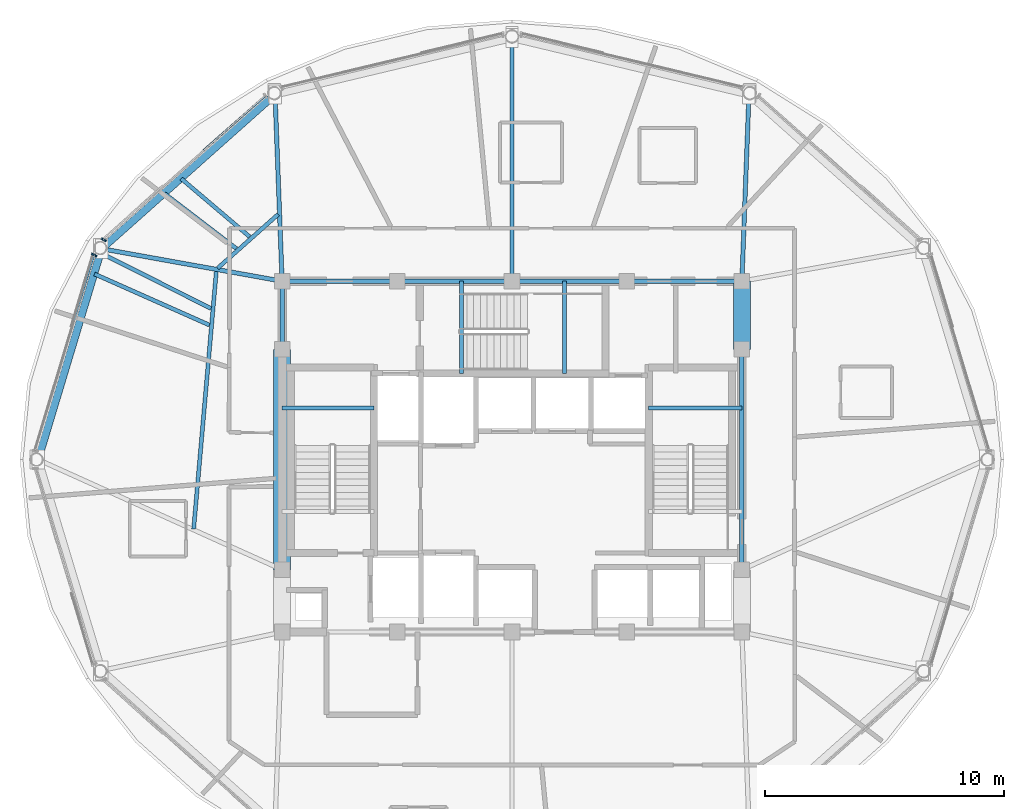
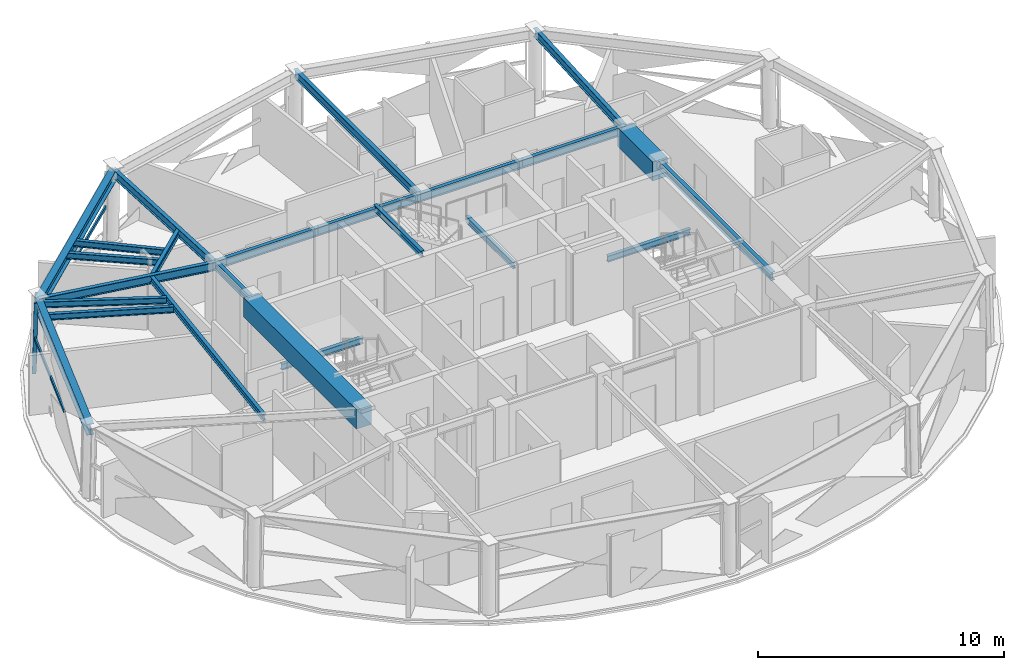
# One storey, part 4 of 15: 24 beams, 4 members, 2 elements without a shape of their own.
"""IFC4 building model written with IfcOpenShell, lengths in metres."""

import ifcopenshell
import ifcopenshell.guid

model = None  # the IFC model being written
_history = None  # IfcOwnerHistory: only IFC2X3 demands one
_inside = {}  # id of a spatial element -> (the spatial element, [elements in it])
_under = {}  # id of a project, library or spatial element -> (it, [spatial elements below it])
_declared = {}  # id of a project -> (the project, [libraries it declares])
_typed = {}  # id of a type object -> (the type object, [elements of that type])
_made_of = {}  # id of a material, layer set ... -> (it, [elements and type objects made of it])


def new_model(schema):
    """Start an empty IFC model of exactly this schema.

    Asked for "IFC4X3", IfcOpenShell would pick the latest addendum, in which some entities
    have other attributes; the version numbers below select the first issue.
    IFC2X3 requires an IfcOwnerHistory on every rooted entity: one is made here for all.
    """
    global model, _history
    if schema == "IFC4X3":
        model = ifcopenshell.file(schema_version=(4, 3, 0, 0))
    else:
        model = ifcopenshell.file(schema=schema)
    _inside.clear()
    _under.clear()
    _declared.clear()
    _typed.clear()
    _made_of.clear()
    _history = None
    if model.schema == "IFC2X3":
        org = make("IfcOrganization", Name="unknown")
        user = make(
            "IfcPersonAndOrganization",
            ThePerson=make("IfcPerson", FamilyName="unknown"),
            TheOrganization=org,
        )
        app = make(
            "IfcApplication",
            ApplicationDeveloper=org,
            Version="unknown",
            ApplicationFullName="unknown",
            ApplicationIdentifier="unknown",
        )
        _history = make(
            "IfcOwnerHistory",
            OwningUser=user,
            OwningApplication=app,
            ChangeAction="ADDED",
            CreationDate=0,
        )
    return model


def make(cls, **values):
    """One entity of the class cls with the attributes given. An attribute that is None is left unset."""
    return model.create_entity(
        cls, **{name: value for name, value in values.items() if value is not None}
    )


def rooted(cls, **values):
    """An entity with a GlobalId (a new one), such as an element, a storey or a relation."""
    return make(cls, GlobalId=ifcopenshell.guid.new(), OwnerHistory=_history, **values)


def si_unit(unit_type, name, prefix=None):
    """IfcSIUnit, for example si_unit("LENGTHUNIT", "METRE", prefix="MILLI")."""
    return make("IfcSIUnit", UnitType=unit_type, Prefix=prefix, Name=name)


def assignment(units):
    """IfcUnitAssignment: the units of a project."""
    return None if units is None else make("IfcUnitAssignment", Units=units)


def point(xyz):
    """IfcCartesianPoint."""
    return None if xyz is None else make("IfcCartesianPoint", Coordinates=xyz)


def direction(xyz):
    """IfcDirection."""
    return None if xyz is None else make("IfcDirection", DirectionRatios=xyz)


def frame(location, z_axis=None, x_axis=None):
    """IfcAxis2Placement3D, a coordinate frame: its origin and axes. An axis left out is left unset."""
    return make(
        "IfcAxis2Placement3D",
        Location=point(location),
        Axis=direction(z_axis),
        RefDirection=direction(x_axis),
    )


def frame_2d(location, x_axis=None):
    """IfcAxis2Placement2D, a coordinate frame in the plane: its origin and x axis."""
    return make(
        "IfcAxis2Placement2D", Location=point(location), RefDirection=direction(x_axis)
    )


def origin():
    """The frame at (0, 0, 0) with its axes left unset."""
    return frame((0.0, 0.0, 0.0))


def origin_2d():
    """The frame at (0, 0) in the plane with its x axis left unset."""
    return frame_2d((0.0, 0.0))


def place(relative_to, where):
    """IfcLocalPlacement: puts the frame where relative to a parent placement (None: the world)."""
    return make(
        "IfcLocalPlacement", PlacementRelTo=relative_to, RelativePlacement=where
    )


def context(
    kind, dimensions, precision=None, world=None, true_north=None, identifier=None
):
    """IfcGeometricRepresentationContext, for example the 3D "Model" context."""
    return make(
        "IfcGeometricRepresentationContext",
        ContextIdentifier=identifier,
        ContextType=kind,
        CoordinateSpaceDimension=dimensions,
        Precision=precision,
        WorldCoordinateSystem=world,
        TrueNorth=true_north,
    )


def subcontext(parent, identifier, kind, view, scale=None):
    """IfcGeometricRepresentationSubContext, for example "Body" below "Model"."""
    return make(
        "IfcGeometricRepresentationSubContext",
        ContextIdentifier=identifier,
        ContextType=kind,
        ParentContext=parent,
        TargetScale=scale,
        TargetView=view,
    )


def project(units=None, contexts=None):
    """IfcProject with its units and contexts."""
    return rooted(
        "IfcProject",
        Name="project",
        RepresentationContexts=contexts,
        UnitsInContext=assignment(units),
    )


def spatial(cls, under=None, at=None, **own):
    """A site, building, storey or space (cls), placed at a placement, below another one or the project."""
    s = rooted(cls, ObjectPlacement=at, **own)
    if under is not None:
        _under.setdefault(under.id(), (under, []))[1].append(s)
    return s


def profile(cls, at=None, kind="AREA", **sizes):
    """A parametric profile (cls). Its sizes go by their IFC names, for example OverallWidth=200.0."""
    return make(cls, ProfileType=kind, Position=at, **sizes)


def rectangle(**sizes):
    """IfcRectangleProfileDef."""
    return profile("IfcRectangleProfileDef", **sizes)


def hollow_rectangle(**sizes):
    """IfcRectangleHollowProfileDef."""
    return profile("IfcRectangleHollowProfileDef", **sizes)


def i_section(**sizes):
    """IfcIShapeProfileDef."""
    return profile("IfcIShapeProfileDef", **sizes)


def extrude(swept, where, along, depth):
    """IfcExtrudedAreaSolid: the profile swept, set in the frame where, extruded along a direction by depth."""
    return make(
        "IfcExtrudedAreaSolid",
        SweptArea=swept,
        Position=where,
        ExtrudedDirection=direction(along),
        Depth=depth,
    )


def shape(context_of_items, identifier, shape_type, items):
    """IfcShapeRepresentation: the items that make up one representation, for example the "Body"."""
    return make(
        "IfcShapeRepresentation",
        ContextOfItems=context_of_items,
        RepresentationIdentifier=identifier,
        RepresentationType=shape_type,
        Items=items,
    )


def material(Name=None, Category=None):
    """IfcMaterial."""
    return make("IfcMaterial", Name=Name, Category=Category)


def layer(
    of_material, thickness, ventilated=None, Name=None, Category=None, Priority=None
):
    """IfcMaterialLayer: one layer of a wall or slab, of a material (None: an air gap)."""
    return make(
        "IfcMaterialLayer",
        Material=of_material,
        LayerThickness=thickness,
        IsVentilated=ventilated,
        Name=Name,
        Category=Category,
        Priority=Priority,
    )


def layer_set(layers, Name=None):
    """IfcMaterialLayerSet."""
    return make("IfcMaterialLayerSet", MaterialLayers=layers, LayerSetName=Name)


def material_profile(
    of_material, cross_section, Name=None, Category=None, Priority=None
):
    """IfcMaterialProfile: a cross section and its material."""
    return make(
        "IfcMaterialProfile",
        Name=Name,
        Material=of_material,
        Profile=cross_section,
        Priority=Priority,
        Category=Category,
    )


def profile_set(profiles, Name=None, composite=None):
    """IfcMaterialProfileSet."""
    return make(
        "IfcMaterialProfileSet",
        Name=Name,
        MaterialProfiles=profiles,
        CompositeProfile=composite,
    )


def made_of(thing, what):
    """Note that an element or type object is made of a material, layer set ...; save() writes the relation."""
    if what is not None:
        _made_of.setdefault(what.id(), (what, []))[1].append(thing)
    return thing


def type_object(cls, material=None, **own):
    """A type object (cls), such as IfcWallType, which elements share."""
    return made_of(rooted(cls, **own), material)


def element(
    cls,
    number,
    at=None,
    inside=None,
    cuts=None,
    type_object=None,
    material=None,
    context=None,
    identifier="Body",
    shape_type=None,
    held_by="IfcProductDefinitionShape",
    body=None,
    shapes=None,
    **own,
):
    """One element of the class cls, such as IfcWall. Its Tag is "e" and its number.

    at: its placement. inside: the storey or other place that contains it. cuts: it is an
    opening in that element (IfcRelVoidsElement). A single representation is given by context,
    identifier, shape_type and body (its items); several are given by shapes. held_by: the class
    of the entity that holds the representations. save() writes the other relations.
    """
    e = rooted(cls, Tag="e%d" % number, ObjectPlacement=at, **own)
    if body is not None:
        shapes = [shape(context, identifier, shape_type, body)]
    if shapes is not None:
        e.Representation = make(held_by, Representations=shapes)
    if inside is not None:
        _inside.setdefault(inside.id(), (inside, []))[1].append(e)
    if cuts is not None:
        rooted(
            "IfcRelVoidsElement", RelatingBuildingElement=cuts, RelatedOpeningElement=e
        )
    if type_object is not None:
        _typed.setdefault(type_object.id(), (type_object, []))[1].append(e)
    return made_of(e, material)


def aggregate(whole, parts):
    """IfcRelAggregates: a whole, such as a stair, and the parts it consists of."""
    return rooted("IfcRelAggregates", RelatingObject=whole, RelatedObjects=parts)


def save(model, path):
    """Write the relations noted so far, then the file.

    IfcRelAggregates (storeys below a building ...), IfcRelContainedInSpatialStructure (elements
    in a storey), IfcRelDefinesByType, IfcRelAssociatesMaterial and IfcRelDeclares: one each for
    every whole, place, type object, material and project.
    """
    for whole, parts in _under.values():
        aggregate(whole, parts)
    for where, things in _inside.values():
        rooted(
            "IfcRelContainedInSpatialStructure",
            RelatedElements=things,
            RelatingStructure=where,
        )
    for kind, things in _typed.values():
        rooted("IfcRelDefinesByType", RelatedObjects=things, RelatingType=kind)
    for what, things in _made_of.values():
        rooted("IfcRelAssociatesMaterial", RelatedObjects=things, RelatingMaterial=what)
    for by, libraries in _declared.values():
        rooted("IfcRelDeclares", RelatingContext=by, RelatedDefinitions=libraries)
    model.write(path)


model = new_model("IFC4")

# Units and contexts
model_context = context("Model", 3, precision=1e-05, world=origin(), true_north=direction((0.0, 1.0)))
body_context = subcontext(model_context, "Body", "Model", "MODEL_VIEW")
ifc_project = project(units=[si_unit("LENGTHUNIT", "METRE"), si_unit("AREAUNIT", "SQUARE_METRE"), si_unit("VOLUMEUNIT", "CUBIC_METRE"), si_unit("PLANEANGLEUNIT", "RADIAN"), si_unit("MASSUNIT", "GRAM", prefix="KILO")], contexts=[model_context])

# Site, building, storey
site_placement = place(None, origin())
site = spatial("IfcSite", under=ifc_project, at=site_placement, CompositionType="ELEMENT")
building_placement = place(site_placement, origin())
building = spatial("IfcBuilding", under=site, at=building_placement, Name="Vantalir Tower", CompositionType="ELEMENT")
storey_placement = place(building_placement, frame((0.0, 0.0, 263.85009765625)))
storey = spatial("IfcBuildingStorey", under=building, at=storey_placement, Name="L66", CompositionType="ELEMENT", Elevation=263.85009765625)

# Beams
ifc_material_1 = material(Name="Concrete C60/75", Category="concrete")
ifc_material_profile_1 = material_profile(ifc_material_1, rectangle(XDim=0.699951171875, YDim=0.949951171875, at=origin_2d()), Name="Concrete C60/75")
ifc_profile_set_1 = profile_set([ifc_material_profile_1], Name="Concrete C60/75")
beam_type_1 = type_object("IfcBeamType", Name="BM-CB-700x950", PredefinedType="USERDEFINED", material=ifc_profile_set_1)
beam_1_placement = place(storey_placement, frame((41.10009765625, 29.60009765625, 3.094970703125), z_axis=(0.0, 1.0, 0.0), x_axis=(-1.0, 0.0, 0.0)))
element("IfcBeam", 1, at=beam_1_placement, inside=storey, type_object=beam_type_1, Name="L66 Core Coupling Girder 07", ObjectType="GIRDER", PredefinedType="USERDEFINED", context=body_context, shape_type="SweptSolid", body=[
    extrude(rectangle(XDim=0.699951171875, YDim=0.949951171875, at=origin_2d()), origin(), (0.0, 0.0, 1.0), 2.849853515625),
])
beam_2_placement = place(storey_placement, frame((21.89990234375, 29.60009765625, 3.094970703125), z_axis=(0.0, -1.0, 0.0), x_axis=(1.0, 0.0, 0.0)))
element("IfcBeam", 2, at=beam_2_placement, inside=storey, type_object=beam_type_1, Name="L66 Core Coupling Girder 13", ObjectType="GIRDER", PredefinedType="USERDEFINED", context=body_context, shape_type="SweptSolid", body=[
    extrude(rectangle(XDim=0.699951171875, YDim=0.949951171875, at=origin_2d()), origin(), (0.0, 0.0, 1.0), 9.2001953125),
])
ifc_material_2 = material(Name="Steel S355", Category="steel")
ifc_material_profile_2 = material_profile(ifc_material_2, i_section(OverallWidth=0.166015625, OverallDepth=0.306884765625, WebThickness=0.006591796875, FlangeThickness=0.01171875, at=origin_2d()), Name="Steel S355")
ifc_profile_set_2 = profile_set([ifc_material_profile_2], Name="Steel S355")
beam_type_2 = type_object("IfcBeamType", Name="BM-JS-305x165", PredefinedType="JOIST", material=ifc_profile_set_2)
beam_3_placement = place(storey_placement, frame((21.89990234375, 27.14501953125, 1.52099609375), z_axis=(1.0, 0.0, 0.0), x_axis=(0.0, 1.0, 0.0)))
element("IfcBeam", 3, at=beam_3_placement, inside=storey, type_object=beam_type_2, Name="L66 Stair ST1 Half-Landing Support Beam", PredefinedType="JOIST", context=body_context, shape_type="SweptSolid", body=[
    extrude(i_section(OverallWidth=0.166015625, OverallDepth=0.306884765625, WebThickness=0.006591796875, FlangeThickness=0.01171875, at=origin_2d()), origin(), (0.0, 0.0, 1.0), 3.840087890625),
])
beam_4_placement = place(storey_placement, frame((37.2099609375, 27.14501953125, 1.52099609375), z_axis=(1.0, 0.0, 0.0), x_axis=(0.0, 1.0, 0.0)))
element("IfcBeam", 4, at=beam_4_placement, inside=storey, type_object=beam_type_2, Name="L66 Stair ST2 Half-Landing Support Beam", PredefinedType="JOIST", context=body_context, shape_type="SweptSolid", body=[
    extrude(i_section(OverallWidth=0.166015625, OverallDepth=0.306884765625, WebThickness=0.006591796875, FlangeThickness=0.01171875, at=origin_2d()), origin(), (0.0, 0.0, 1.0), 3.89013671875),
])
for number, where, z_axis, x_axis, name in (
    (5, (29.385009765625, 28.60009765625, 3.595947265625), (0.0, 1.0, 0.0), (-1.0, 0.0, 0.0), "L67 Stair ST3 Well Nosing Trimmer Beam"),
    (6, (33.695068359375, 28.60009765625, 1.52099609375), (0.0, 1.0, 0.0), (-1.0, 0.0, 0.0), "L66 Stair ST3 Half-Landing Support Beam"),
):
    element("IfcBeam", number, at=place(storey_placement, frame(where, z_axis=z_axis, x_axis=x_axis)), inside=storey, type_object=beam_type_2, Name=name, PredefinedType="JOIST", context=body_context, shape_type="SweptSolid", body=[
        extrude(i_section(OverallWidth=0.166015625, OverallDepth=0.306884765625, WebThickness=0.006591796875, FlangeThickness=0.01171875, at=origin_2d()), origin(), (0.0, 0.0, 1.0), 3.849853515625),
    ])
beam_5_placement = place(storey_placement, frame((21.735107421875, 35.240966796875, 3.3359375), z_axis=(-0.747154387061, -0.664650526138, 0.0), x_axis=(0.664650526138, -0.747154387061, 0.0)))
element("IfcBeam", 7, at=beam_5_placement, inside=storey, type_object=beam_type_2, Name="L66 Sky Garden SG4 Planter Sub-Girder 1", PredefinedType="JOIST", context=body_context, shape_type="SweptSolid", body=[
    extrude(i_section(OverallWidth=0.166015625, OverallDepth=0.306884765625, WebThickness=0.006591796875, FlangeThickness=0.01171875, at=origin_2d()), origin(), (0.0, 0.0, 1.0), 3.38232421875),
])
beam_6_placement = place(storey_placement, frame((19.158935546875, 32.927978515625, 3.3359375), z_axis=(-0.087613779733, -0.996154518938, 0.0), x_axis=(0.996154518938, -0.087613779733, 0.0)))
element("IfcBeam", 8, at=beam_6_placement, inside=storey, type_object=beam_type_2, Name="L66 Sky Garden SG4 Planter Sub-Girder 2", PredefinedType="JOIST", context=body_context, shape_type="SweptSolid", body=[
    extrude(i_section(OverallWidth=0.166015625, OverallDepth=0.306884765625, WebThickness=0.006591796875, FlangeThickness=0.01171875, at=origin_2d()), origin(), (0.0, 0.0, 1.0), 10.86474609375),
])
beam_7_placement = place(storey_placement, frame((20.54296875, 34.306884765625, 3.3359375), z_axis=(-0.762180156679, 0.647364973384, 0.0), x_axis=(-0.647364973384, -0.762180156679, 0.0)))
element("IfcBeam", 9, at=beam_7_placement, inside=storey, type_object=beam_type_2, Name="L66 Sky Garden SG4 Pier Tie Beam M1", PredefinedType="JOIST", context=body_context, shape_type="SweptSolid", body=[
    extrude(i_section(OverallWidth=0.166015625, OverallDepth=0.306884765625, WebThickness=0.006591796875, FlangeThickness=0.01171875, at=origin_2d()), origin(), (0.0, 0.0, 1.0), 3.7509765625),
])
beam_8_placement = place(storey_placement, frame((19.989990234375, 33.81298828125, 3.3359375), z_axis=(-0.793945145655, 0.607989396034, 0.0), x_axis=(-0.607989396034, -0.793945145655, 0.0)))
element("IfcBeam", 10, at=beam_8_placement, inside=storey, type_object=beam_type_2, Name="L66 Sky Garden SG4 Pier Tie Beam M2", PredefinedType="JOIST", context=body_context, shape_type="SweptSolid", body=[
    extrude(i_section(OverallWidth=0.166015625, OverallDepth=0.306884765625, WebThickness=0.006591796875, FlangeThickness=0.01171875, at=origin_2d()), origin(), (0.0, 0.0, 1.0), 3.77978515625),
])
beam_9_placement = place(storey_placement, frame((18.927978515625, 31.31298828125, 3.3359375), z_axis=(-0.893638122833, 0.448788263461, 0.0), x_axis=(-0.448788263461, -0.893638122833, 0.0)))
element("IfcBeam", 11, at=beam_9_placement, inside=storey, type_object=beam_type_2, Name="L66 Sky Garden SG4 Pier Tie Beam T1", PredefinedType="JOIST", context=body_context, shape_type="SweptSolid", body=[
    extrude(i_section(OverallWidth=0.166015625, OverallDepth=0.306884765625, WebThickness=0.006591796875, FlangeThickness=0.01171875, at=origin_2d()), origin(), (0.0, 0.0, 1.0), 5.145263671875),
])
beam_10_placement = place(storey_placement, frame((18.865966796875, 30.616943359375, 3.3359375), z_axis=(-0.913755983656, 0.406263464186, 0.0), x_axis=(-0.406263464186, -0.913755983656, 0.0)))
element("IfcBeam", 12, at=beam_10_placement, inside=storey, type_object=beam_type_2, Name="L66 Sky Garden SG4 Pier Tie Beam T2", PredefinedType="JOIST", context=body_context, shape_type="SweptSolid", body=[
    extrude(i_section(OverallWidth=0.166015625, OverallDepth=0.306884765625, WebThickness=0.006591796875, FlangeThickness=0.01171875, at=origin_2d()), origin(), (0.0, 0.0, 1.0), 5.255126953125),
])
ifc_material_profile_3 = material_profile(ifc_material_2, i_section(OverallWidth=0.179931640625, OverallDepth=0.4130859375, WebThickness=0.009521484375, FlangeThickness=0.01611328125, at=origin_2d()), Name="Steel S355")
ifc_profile_set_3 = profile_set([ifc_material_profile_3], Name="Steel S355")
beam_type_3 = type_object("IfcBeamType", Name="BM-RB-406x178", PredefinedType="BEAM", material=ifc_profile_set_3)
beam_11_placement = place(storey_placement, frame((41.10009765625, 20.39990234375, 3.364013671875), z_axis=(0.0, 1.0, 0.0), x_axis=(-1.0, 0.0, 0.0)))
element("IfcBeam", 13, at=beam_11_placement, inside=storey, type_object=beam_type_3, Name="L66 Core Coupling Girder 06", PredefinedType="BEAM", context=body_context, shape_type="SweptSolid", body=[
    extrude(i_section(OverallWidth=0.179931640625, OverallDepth=0.4130859375, WebThickness=0.009521484375, FlangeThickness=0.01611328125, at=origin_2d()), origin(), (0.0, 0.0, 1.0), 9.2001953125),
])
for number, where, z_axis, x_axis, name in (
    (14, (41.10009765625, 32.449951171875, 3.364013671875), (-1.0, 0.0, 0.0), (0.0, -1.0, 0.0), "L66 Core Coupling Girder 08"),
    (15, (36.300048828125, 32.449951171875, 3.364013671875), (-1.0, 0.0, 0.0), (0.0, -1.0, 0.0), "L66 Core Coupling Girder 09"),
    (16, (31.5, 32.449951171875, 3.364013671875), (-1.0, 0.0, 0.0), (0.0, -1.0, 0.0), "L66 Core Coupling Girder 10"),
    (17, (26.699951171875, 32.449951171875, 3.364013671875), (-1.0, 0.0, 0.0), (0.0, -1.0, 0.0), "L66 Core Coupling Girder 11"),
):
    element("IfcBeam", number, at=place(storey_placement, frame(where, z_axis=z_axis, x_axis=x_axis)), inside=storey, type_object=beam_type_3, Name=name, PredefinedType="BEAM", context=body_context, shape_type="SweptSolid", body=[
        extrude(i_section(OverallWidth=0.179931640625, OverallDepth=0.4130859375, WebThickness=0.009521484375, FlangeThickness=0.01611328125, at=origin_2d()), origin(), (0.0, 0.0, 1.0), 4.800048828125),
    ])
beam_12_placement = place(storey_placement, frame((21.89990234375, 32.449951171875, 3.364013671875), z_axis=(0.0, -1.0, 0.0), x_axis=(1.0, 0.0, 0.0)))
element("IfcBeam", 18, at=beam_12_placement, inside=storey, type_object=beam_type_3, Name="L66 Core Coupling Girder 12", PredefinedType="BEAM", context=body_context, shape_type="SweptSolid", body=[
    extrude(i_section(OverallWidth=0.179931640625, OverallDepth=0.4130859375, WebThickness=0.009521484375, FlangeThickness=0.01611328125, at=origin_2d()), origin(), (0.0, 0.0, 1.0), 2.849853515625),
])
beam_13_placement = place(storey_placement, frame((41.39501953125, 40.251953125, 3.364013671875), z_axis=(-0.037773816947, -0.999286314703, 0.0), x_axis=(0.999286314703, -0.037773816947, 0.0)))
element("IfcBeam", 19, at=beam_13_placement, inside=storey, type_object=beam_type_3, Name="L66 Radial Floor Beam 03", PredefinedType="BEAM", context=body_context, shape_type="SweptSolid", body=[
    extrude(i_section(OverallWidth=0.179931640625, OverallDepth=0.4130859375, WebThickness=0.009521484375, FlangeThickness=0.01611328125, at=origin_2d()), origin(), (0.0, 0.0, 1.0), 7.8076171875),
])
beam_14_placement = place(storey_placement, frame((31.5, 42.611083984375, 3.364013671875), z_axis=(0.0, -1.0, 0.0), x_axis=(1.0, 0.0, 0.0)))
element("IfcBeam", 20, at=beam_14_placement, inside=storey, type_object=beam_type_3, Name="L66 Radial Floor Beam 04", PredefinedType="BEAM", context=body_context, shape_type="SweptSolid", body=[
    extrude(i_section(OverallWidth=0.179931640625, OverallDepth=0.4130859375, WebThickness=0.009521484375, FlangeThickness=0.01611328125, at=origin_2d()), origin(), (0.0, 0.0, 1.0), 10.1611328125),
])
beam_15_placement = place(storey_placement, frame((21.60498046875, 40.251953125, 3.323974609375), z_axis=(0.037773816947, -0.999286314703, 0.0), x_axis=(0.999286314703, 0.037773816947, 0.0)))
element("IfcBeam", 21, at=beam_15_placement, inside=storey, type_object=beam_type_3, Name="L66 Radial Floor Beam 05", PredefinedType="BEAM", context=body_context, shape_type="SweptSolid", body=[
    extrude(i_section(OverallWidth=0.179931640625, OverallDepth=0.4130859375, WebThickness=0.009521484375, FlangeThickness=0.01611328125, at=origin_2d()), origin(), (0.0, 0.0, 1.0), 7.8076171875),
])
beam_16_placement = place(storey_placement, frame((14.361083984375, 33.804931640625, 3.323974609375), z_axis=(0.984228971585, -0.176899212808, 0.0), x_axis=(0.176899212808, 0.984228971585, 0.0)))
element("IfcBeam", 22, at=beam_16_placement, inside=storey, type_object=beam_type_3, Name="L66 Radial Floor Beam 06", PredefinedType="BEAM", context=body_context, shape_type="SweptSolid", body=[
    extrude(i_section(OverallWidth=0.179931640625, OverallDepth=0.4130859375, WebThickness=0.009521484375, FlangeThickness=0.01611328125, at=origin_2d()), origin(), (0.0, 0.0, 1.0), 7.65966796875),
])
ifc_material_3 = material(Name="Steel S460", Category="steel")
ifc_material_profile_4 = material_profile(ifc_material_3, i_section(OverallWidth=0.31201171875, OverallDepth=0.5419921875, WebThickness=0.0126953125, FlangeThickness=0.020263671875, at=origin_2d()), Name="Steel S460")
ifc_profile_set_4 = profile_set([ifc_material_profile_4], Name="Steel S460")
beam_type_4 = type_object("IfcBeamType", Name="BM-RG-533x312", PredefinedType="USERDEFINED", material=ifc_profile_set_4)
beam_17_placement = place(storey_placement, frame((21.60498046875, 40.251953125, 3.2587890625), z_axis=(-0.746999414148, -0.664824695136, 0.0), x_axis=(0.664824695136, -0.746999414148, 0.0)))
element("IfcBeam", 23, at=beam_17_placement, inside=storey, type_object=beam_type_4, Name="L66 Circumferential Ring Girder 05", ObjectType="GIRDER", PredefinedType="USERDEFINED", context=body_context, shape_type="SweptSolid", body=[
    extrude(i_section(OverallWidth=0.31201171875, OverallDepth=0.5419921875, WebThickness=0.0126953125, FlangeThickness=0.020263671875, at=origin_2d()), origin(), (0.0, 0.0, 1.0), 9.697265625),
])
beam_18_placement = place(storey_placement, frame((14.361083984375, 33.804931640625, 3.2587890625), z_axis=(-0.288309885085, -0.957537158633, 0.0), x_axis=(0.957537158633, -0.288309885085, 0.0)))
element("IfcBeam", 24, at=beam_18_placement, inside=storey, type_object=beam_type_4, Name="L66 Circumferential Ring Girder 06", ObjectType="GIRDER", PredefinedType="USERDEFINED", context=body_context, shape_type="SweptSolid", body=[
    extrude(i_section(OverallWidth=0.31201171875, OverallDepth=0.5419921875, WebThickness=0.0126953125, FlangeThickness=0.020263671875, at=origin_2d()), origin(), (0.0, 0.0, 1.0), 9.1953125),
])

# Curtain wall, member
ifc_material_4 = material(Name="Champagne-silver PVDF aluminium and double-silver Low-E glass", Category="aluminium")
ifc_layer = layer(ifc_material_4, 0.219970703125)
ifc_layer_set = layer_set([ifc_layer], Name="Champagne-silver PVDF aluminium and double-silver Low-E glass")
curtain_wall_type = type_object("IfcCurtainWallType", Name="CW-DIAMOND-Z4", PredefinedType="USERDEFINED", material=ifc_layer_set)
curtain_wall_1_placement = place(storey_placement, origin())
curtain_wall_1 = element("IfcCurtainWall", 25, at=curtain_wall_1_placement, inside=storey, type_object=curtain_wall_type, Name="L66 Quilted Pyramid-Diamond Curtain Wall S05", ObjectType="UNITISED CURTAIN WALL", PredefinedType="USERDEFINED")
ifc_material_5 = material(Name="Champagne-silver PVDF aluminium 6063-T6", Category="aluminium")
ifc_material_profile_5 = material_profile(ifc_material_5, hollow_rectangle(XDim=0.070068359375, YDim=0.1650390625, WallThickness=0.00390625, at=origin_2d()), Name="Champagne-silver PVDF aluminium 6063-T6")
ifc_profile_set_5 = profile_set([ifc_material_profile_5], Name="Champagne-silver PVDF aluminium 6063-T6")
member_type_1 = type_object("IfcMemberType", Name="CWM-165x70", PredefinedType="MULLION", material=ifc_profile_set_5)
member_1_placement = place(storey_placement, frame((14.4189453125, 34.195068359375, 0.044921875), z_axis=(0.01984909463, -0.010380445248, 0.999749098424), x_axis=(0.463421877407, 0.886137779096, 0.0)))
member_1 = element("IfcMember", 26, at=member_1_placement, type_object=member_type_1, Name="CW-L66-S05 Mullion 2", PredefinedType="MULLION", context=body_context, shape_type="SweptSolid", body=[
    extrude(hollow_rectangle(XDim=0.070068359375, YDim=0.1650390625, WallThickness=0.00390625, at=origin_2d()), origin(), (0.0, 0.0, 1.0), 3.48095703125),
])

curtain_wall_2_placement = place(storey_placement, origin())
curtain_wall_2 = element("IfcCurtainWall", 27, at=curtain_wall_2_placement, inside=storey, type_object=curtain_wall_type, Name="L66 Quilted Pyramid-Diamond Curtain Wall S06", ObjectType="UNITISED CURTAIN WALL", PredefinedType="USERDEFINED")
member_2_placement = place(storey_placement, frame((14.01611328125, 33.56298828125, 0.044921875), z_axis=(0.019778998325, -0.010310328914, 0.999751213224), x_axis=(0.462243581644, 0.886752993358, 0.0)))
member_2 = element("IfcMember", 28, at=member_2_placement, type_object=member_type_1, Name="CW-L66-S06 Mullion 1", PredefinedType="MULLION", context=body_context, shape_type="SweptSolid", body=[
    extrude(hollow_rectangle(XDim=0.070068359375, YDim=0.1650390625, WallThickness=0.00390625, at=origin_2d()), origin(), (0.0, 0.0, 1.0), 3.48095703125),
])

# Member
ifc_material_profile_6 = material_profile(ifc_material_5, hollow_rectangle(XDim=0.074951171875, YDim=0.159912109375, WallThickness=0.00390625, at=origin_2d()), Name="Champagne-silver PVDF aluminium 6063-T6")
ifc_profile_set_6 = profile_set([ifc_material_profile_6], Name="Champagne-silver PVDF aluminium 6063-T6")
member_type_2 = type_object("IfcMemberType", Name="CWT-160x75", PredefinedType="USERDEFINED", material=ifc_profile_set_6)
member_3_placement = place(storey_placement, frame((21.198974609375, 40.18798828125, 1.784912109375), z_axis=(-0.751201212065, -0.660073283047, 0.0), x_axis=(0.660073283047, -0.751201212065, 0.0)))
member_3 = element("IfcMember", 29, at=member_3_placement, type_object=member_type_2, Name="CW-L66-S05 Pyramid Fold Ridge Transom", ObjectType="TRANSOM", PredefinedType="USERDEFINED", context=body_context, shape_type="SweptSolid", body=[
    extrude(hollow_rectangle(XDim=0.074951171875, YDim=0.159912109375, WallThickness=0.00390625, at=origin_2d()), origin(), (0.0, 0.0, 1.0), 3.4345703125),
])

aggregate(curtain_wall_1, [member_1, member_3])

member_4_placement = place(storey_placement, frame((14.050048828125, 33.544921875, 1.784912109375), z_axis=(-0.292286499919, -0.956330801535, 0.0), x_axis=(0.956330801535, -0.292286499919, 0.0)))
member_4 = element("IfcMember", 30, at=member_4_placement, type_object=member_type_2, Name="CW-L66-S06 Pyramid Fold Ridge Transom", ObjectType="TRANSOM", PredefinedType="USERDEFINED", context=body_context, shape_type="SweptSolid", body=[
    extrude(hollow_rectangle(XDim=0.074951171875, YDim=0.159912109375, WallThickness=0.00390625, at=origin_2d()), origin(), (0.0, 0.0, 1.0), 5.293212890625),
])

aggregate(curtain_wall_2, [member_2, member_4])

save(model, "model.ifc")
